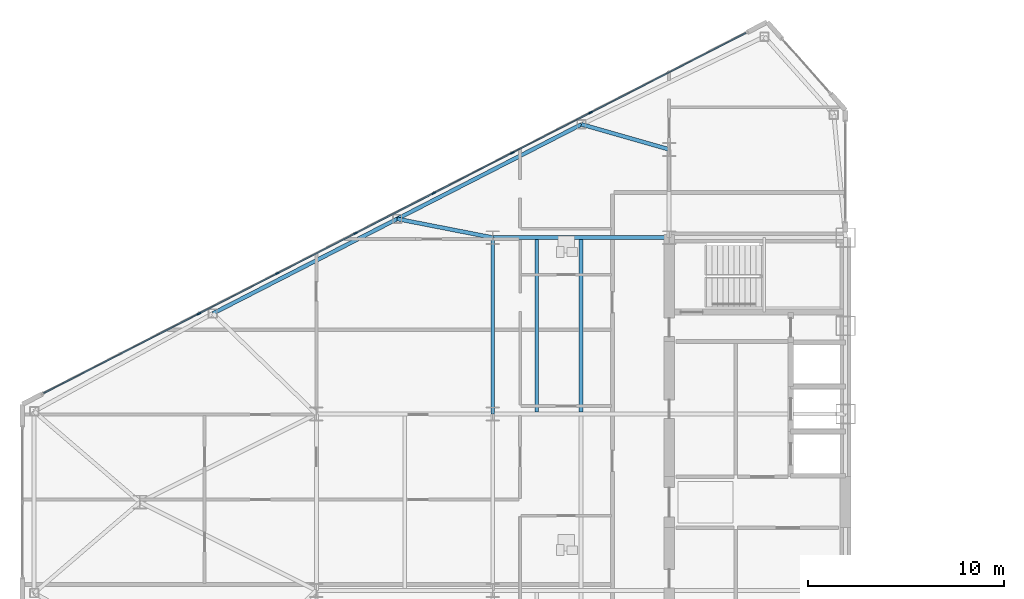
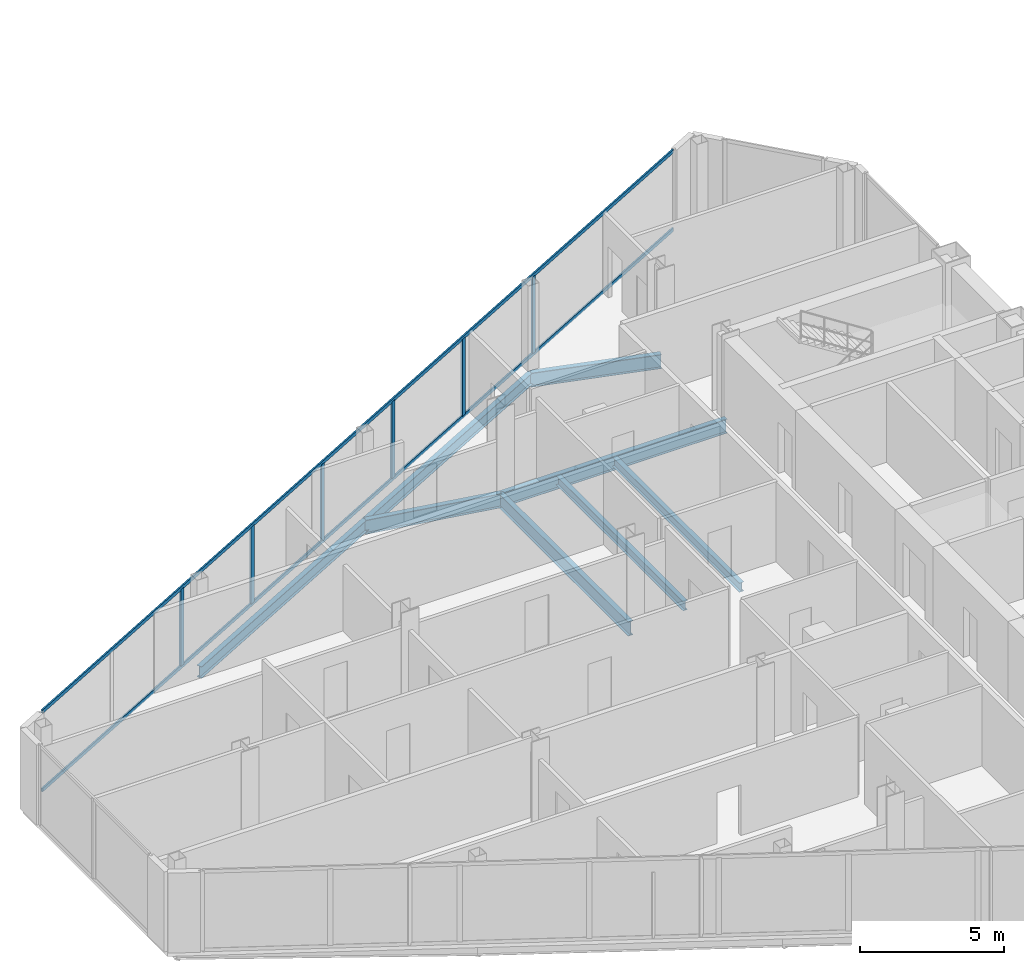
# One storey, part 6 of 23: 8 beams, 8 members, 1 element without a shape of its own.
"""IFC4 building model written with IfcOpenShell, lengths in metres."""

from ifc_helpers import new_model, si_unit, direction, frame, origin, origin_2d, place, context, subcontext, project, spatial, rectangle, i_section, extrude, source, transform, mapped, material, layer, layer_set, material_profile, profile_set, type_object, type_shapes, element, aggregate, save


model = new_model("IFC4")

# Units and contexts
model_context = context("Model", 3, precision=1e-05, world=origin(), true_north=direction((0.0, 1.0)))
body_context = subcontext(model_context, "Body", "Model", "MODEL_VIEW")
ifc_project = project(units=[si_unit("LENGTHUNIT", "METRE"), si_unit("AREAUNIT", "SQUARE_METRE"), si_unit("VOLUMEUNIT", "CUBIC_METRE"), si_unit("PLANEANGLEUNIT", "RADIAN"), si_unit("MASSUNIT", "GRAM", prefix="KILO")], contexts=[model_context])

# Site, building, storey
site_placement = place(None, origin())
site = spatial("IfcSite", under=ifc_project, at=site_placement, CompositionType="ELEMENT")
building_placement = place(site_placement, origin())
building = spatial("IfcBuilding", under=site, at=building_placement, Name="Seokmaru Belvedere", CompositionType="ELEMENT")
storey_placement = place(building_placement, frame((0.0, 0.0, 154.800048828125)))
storey = spatial("IfcBuildingStorey", under=building, at=storey_placement, Name="L41", CompositionType="ELEMENT", Elevation=154.800048828125)

# Beams
ifc_material_1 = material(Name="Steel SM355 (355 MPa)", Category="steel")
ifc_material_profile_1 = material_profile(ifc_material_1, i_section(OverallWidth=0.199951171875, OverallDepth=0.60009765625, WebThickness=0.010986328125, FlangeThickness=0.01708984375, at=origin_2d()), Name="H-600x200x11x17")
ifc_profile_set_1 = profile_set([ifc_material_profile_1], Name="Steel SM355 (355 MPa)")
beam_type_1 = type_object("IfcBeamType", Name="Primary Floor Girder H-600", PredefinedType="BEAM", material=ifc_profile_set_1)
shared_shape_1 = source(origin(), body_context, "Body", "SweptSolid", [
    extrude(i_section(OverallWidth=0.199951171875, OverallDepth=0.60009765625, WebThickness=0.010986328125, FlangeThickness=0.01708984375, at=origin_2d()), origin(), (0.0, 0.0, 1.0), 9.0),
])
for number, where, z_axis, x_axis, name in (
    (1, (-45.5, 4.5, -0.52001953125), (0.0, 1.0, 0.0), (-1.0, 0.0, 0.0), "L41 W Interior Grid Girder 3"),
    (2, (-45.5, 13.5, -0.52001953125), (1.0, 0.0, 0.0), (0.0, 1.0, 0.0), "L41 W Wing Primary Girder 4"),
):
    element("IfcBeam", number, at=place(storey_placement, frame(where, z_axis=z_axis, x_axis=x_axis)), inside=storey, type_object=beam_type_1, Name=name, PredefinedType="BEAM", context=body_context, shape_type="MappedRepresentation", body=[
        mapped(shared_shape_1, transform((0.0, 0.0, 0.0), scale=1.0)),
    ])
ifc_material_profile_2 = material_profile(ifc_material_1, i_section(OverallWidth=0.18505859375, OverallDepth=0.389892578125, WebThickness=0.008056640625, FlangeThickness=0.011962890625, at=origin_2d()), Name="H-390x185x8x12")
ifc_profile_set_2 = profile_set([ifc_material_profile_2], Name="Steel SM355 (355 MPa)")
beam_type_2 = type_object("IfcBeamType", Name="Secondary Floor Joist H-350", PredefinedType="JOIST", material=ifc_profile_set_2)
shared_shape_2 = source(origin(), body_context, "Body", "SweptSolid", [
    extrude(i_section(OverallWidth=0.18505859375, OverallDepth=0.389892578125, WebThickness=0.008056640625, FlangeThickness=0.011962890625, at=origin_2d()), origin(), (0.0, 0.0, 1.0), 8.7900390625),
])
type_shapes(beam_type_2, [shared_shape_2])
for number, where, z_axis, x_axis, name in (
    (3, (-43.25, 4.60498046875, -0.4150390625), (0.0, 1.0, 0.0), (-1.0, 0.0, 0.0), "L41 W Wing Inner Secondary Joist 2"),
    (4, (-41.0, 4.60498046875, -0.4150390625), (0.0, 1.0, 0.0), (-1.0, 0.0, 0.0), "L41 W Secondary Floor Joist 3"),
):
    element("IfcBeam", number, at=place(storey_placement, frame(where, z_axis=z_axis, x_axis=x_axis)), inside=storey, type_object=beam_type_2, Name=name, PredefinedType="JOIST", context=body_context, shape_type="MappedRepresentation", body=[
        mapped(shared_shape_2, transform((0.0, 0.0, 0.0), scale=1.0)),
    ])
ifc_material_profile_3 = material_profile(ifc_material_1, i_section(OverallWidth=0.199951171875, OverallDepth=0.5, WebThickness=0.010009765625, FlangeThickness=0.01611328125, at=origin_2d()), Name="H-500x200x10x16")
ifc_profile_set_3 = profile_set([ifc_material_profile_3], Name="Steel SM355 (355 MPa)")
beam_type_3 = type_object("IfcBeamType", Name="Perimeter Spandrel Beam H-500", PredefinedType="SPANDREL", material=ifc_profile_set_3)
shared_shape_3 = source(origin(), body_context, "Body", "SweptSolid", [
    extrude(i_section(OverallWidth=0.199951171875, OverallDepth=0.5, WebThickness=0.010009765625, FlangeThickness=0.01611328125, at=origin_2d()), origin(), (0.0, 0.0, 1.0), 10.56689453125),
])
type_shapes(beam_type_3, [shared_shape_3])
for number, where, z_axis, x_axis, name in (
    (5, (-40.975830078125, 19.277587890625, -0.469970703125), (-0.889701972758, -0.45654178305, 0.0), (0.45654178305, -0.889701972758, 0.0), "L41 W Faceted Flank Spandrel N-2"),
    (6, (-50.377197265625, 14.453369140625, -0.469970703125), (-0.889692588006, -0.456560071455, 0.0), (0.456560071455, -0.889692588006, 0.0), "L41 W Faceted Flank Spandrel N-3"),
):
    element("IfcBeam", number, at=place(storey_placement, frame(where, z_axis=z_axis, x_axis=x_axis)), inside=storey, type_object=beam_type_3, Name=name, PredefinedType="SPANDREL", context=body_context, shape_type="MappedRepresentation", body=[
        mapped(shared_shape_3, transform((0.0, 0.0, 0.0), scale=1.0)),
    ])
shared_shape_4 = source(origin(), body_context, "Body", "SweptSolid", [
    extrude(i_section(OverallWidth=0.199951171875, OverallDepth=0.60009765625, WebThickness=0.010986328125, FlangeThickness=0.01708984375, at=origin_2d()), origin(), (0.0, 0.0, 1.0), 4.654541015625),
])
beam_1_placement = place(storey_placement, frame((-40.975830078125, 19.277587890625, -0.52001953125), z_axis=(0.961593192625, -0.274478654721, 0.0), x_axis=(0.274478654721, 0.961593192625, 0.0)))
element("IfcBeam", 7, at=beam_1_placement, inside=storey, type_object=beam_type_1, Name="L41 W Flank Radial Floor Girder N-1", PredefinedType="BEAM", context=body_context, shape_type="MappedRepresentation", body=[
    mapped(shared_shape_4, transform((0.0, 0.0, 0.0), scale=1.0)),
])
shared_shape_5 = source(origin(), body_context, "Body", "SweptSolid", [
    extrude(i_section(OverallWidth=0.199951171875, OverallDepth=0.60009765625, WebThickness=0.010986328125, FlangeThickness=0.01708984375, at=origin_2d()), origin(), (0.0, 0.0, 1.0), 4.969482421875),
])
type_shapes(beam_type_1, [shared_shape_1, shared_shape_4, shared_shape_5])
beam_2_placement = place(storey_placement, frame((-50.377197265625, 14.453369140625, -0.52001953125), z_axis=(0.98142544456, -0.19184393858, 0.0), x_axis=(0.19184393858, 0.98142544456, 0.0)))
element("IfcBeam", 8, at=beam_2_placement, inside=storey, type_object=beam_type_1, Name="L41 W Flank Radial Floor Girder N-2", PredefinedType="BEAM", context=body_context, shape_type="MappedRepresentation", body=[
    mapped(shared_shape_5, transform((0.0, 0.0, 0.0), scale=1.0)),
])

# Curtain wall, members
ifc_material_2 = material(Name="Bronze Triple Insulating Glass", Category="glass")
ifc_layer = layer(ifc_material_2, 0.195068359375)
ifc_layer_set = layer_set([ifc_layer], Name="Bronze Triple Insulating Glass")
curtain_wall_type = type_object("IfcCurtainWallType", Name="Sky-Lobby and Mid-Rise Curtain Wall System CW-4", PredefinedType="NOTDEFINED", material=ifc_layer_set)
curtain_wall_placement = place(storey_placement, origin())
curtain_wall = element("IfcCurtainWall", 9, at=curtain_wall_placement, inside=storey, type_object=curtain_wall_type, Name="L41 Curtain Wall WF3", PredefinedType="NOTDEFINED")
ifc_material_3 = material(Name="Anodised Bronze Aluminium", Category="aluminium")
ifc_material_profile_4 = material_profile(ifc_material_3, rectangle(XDim=0.070068359375, YDim=0.195068359375, at=origin_2d()), Name="CW-M-70x195")
ifc_profile_set_4 = profile_set([ifc_material_profile_4], Name="Anodised Bronze Aluminium")
member_type_1 = type_object("IfcMemberType", Name="Bronze Unitised Mullion 70x195", PredefinedType="MULLION", material=ifc_profile_set_4)
shared_shape_6 = source(origin(), body_context, "Body", "SweptSolid", [
    extrude(rectangle(XDim=0.070068359375, YDim=0.195068359375, at=origin_2d()), origin(), (0.0, 0.0, 1.0), 3.25),
])
type_shapes(member_type_1, [shared_shape_6])
member_1_placement = place(storey_placement, frame((-40.5126953125, 19.875, 0.06494140625), z_axis=(0.0, 0.0, 1.0), x_axis=(0.456554528263, -0.889695432562, 0.0)))
member_1 = element("IfcMember", 10, at=member_1_placement, type_object=member_type_1, Name="CW:L41:WF3 Mullion 3", PredefinedType="MULLION", context=body_context, shape_type="MappedRepresentation", body=[
    mapped(shared_shape_6, transform((0.0, 0.0, 0.0), scale=1.0)),
])
member_2_placement = place(storey_placement, frame((-44.5078125, 17.824951171875, 0.06494140625), z_axis=(0.0, 0.0, 1.0), x_axis=(0.456554528263, -0.889695432562, 0.0)))
member_2 = element("IfcMember", 11, at=member_2_placement, type_object=member_type_1, Name="CW:L41:WF3 Mullion 4", PredefinedType="MULLION", context=body_context, shape_type="MappedRepresentation", body=[
    mapped(shared_shape_6, transform((0.0, 0.0, 0.0), scale=1.0)),
])
member_3_placement = place(storey_placement, frame((-48.502685546875, 15.77490234375, 0.06494140625), z_axis=(0.0, 0.0, 1.0), x_axis=(0.456554528263, -0.889695432562, 0.0)))
member_3 = element("IfcMember", 12, at=member_3_placement, type_object=member_type_1, Name="CW:L41:WF3 Mullion 5", PredefinedType="MULLION", context=body_context, shape_type="MappedRepresentation", body=[
    mapped(shared_shape_6, transform((0.0, 0.0, 0.0), scale=1.0)),
])
member_4_placement = place(storey_placement, frame((-52.497314453125, 13.72509765625, 0.06494140625), z_axis=(0.0, 0.0, 1.0), x_axis=(0.456554528263, -0.889695432562, 0.0)))
member_4 = element("IfcMember", 13, at=member_4_placement, type_object=member_type_1, Name="CW:L41:WF3 Mullion 6", PredefinedType="MULLION", context=body_context, shape_type="MappedRepresentation", body=[
    mapped(shared_shape_6, transform((0.0, 0.0, 0.0), scale=1.0)),
])
member_5_placement = place(storey_placement, frame((-56.4921875, 11.675048828125, 0.06494140625), z_axis=(0.0, 0.0, 1.0), x_axis=(0.456554528263, -0.889695432562, 0.0)))
member_5 = element("IfcMember", 14, at=member_5_placement, type_object=member_type_1, Name="CW:L41:WF3 Mullion 7", PredefinedType="MULLION", context=body_context, shape_type="MappedRepresentation", body=[
    mapped(shared_shape_6, transform((0.0, 0.0, 0.0), scale=1.0)),
])
member_6_placement = place(storey_placement, frame((-60.4873046875, 9.625, 0.06494140625), z_axis=(0.0, 0.0, 1.0), x_axis=(0.456554528263, -0.889695432562, 0.0)))
member_6 = element("IfcMember", 15, at=member_6_placement, type_object=member_type_1, Name="CW:L41:WF3 Mullion 8", PredefinedType="MULLION", context=body_context, shape_type="MappedRepresentation", body=[
    mapped(shared_shape_6, transform((0.0, 0.0, 0.0), scale=1.0)),
])
ifc_material_profile_5 = material_profile(ifc_material_3, rectangle(XDim=0.06494140625, YDim=0.14990234375, at=origin_2d()), Name="CW-T-65x150")
ifc_profile_set_5 = profile_set([ifc_material_profile_5], Name="Anodised Bronze Aluminium")
member_type_2 = type_object("IfcMemberType", Name="Bronze Unitised Transom 65x150", PredefinedType="USERDEFINED", material=ifc_profile_set_5)
shared_shape_7 = source(origin(), body_context, "Body", "SweptSolid", [
    extrude(rectangle(XDim=0.06494140625, YDim=0.14990234375, at=origin_2d()), origin(), (0.0, 0.0, 1.0), 40.271240234375),
])
type_shapes(member_type_2, [shared_shape_7])
member_7_placement = place(storey_placement, frame((-32.58544921875, 23.943115234375, 0.032470703125), z_axis=(-0.889693089107, -0.456559094965, 0.0), x_axis=(0.456559094965, -0.889693089107, 0.0)))
member_7 = element("IfcMember", 16, at=member_7_placement, type_object=member_type_2, Name="CW:L41:WF3 Continuous Transom 1", ObjectType="TRANSOM", PredefinedType="USERDEFINED", context=body_context, shape_type="MappedRepresentation", body=[
    mapped(shared_shape_7, transform((0.0, 0.0, 0.0), scale=1.0)),
])
member_8_placement = place(storey_placement, frame((-32.58544921875, 23.943115234375, 3.347412109375), z_axis=(-0.889693089107, -0.456559094965, 0.0), x_axis=(0.456559094965, -0.889693089107, 0.0)))
member_8 = element("IfcMember", 17, at=member_8_placement, type_object=member_type_2, Name="CW:L41:WF3 Continuous Transom 2", ObjectType="TRANSOM", PredefinedType="USERDEFINED", context=body_context, shape_type="MappedRepresentation", body=[
    mapped(shared_shape_7, transform((0.0, 0.0, 0.0), scale=1.0)),
])
aggregate(curtain_wall, [member_1, member_2, member_3, member_4, member_5, member_6, member_7, member_8])

save(model, "model.ifc")
